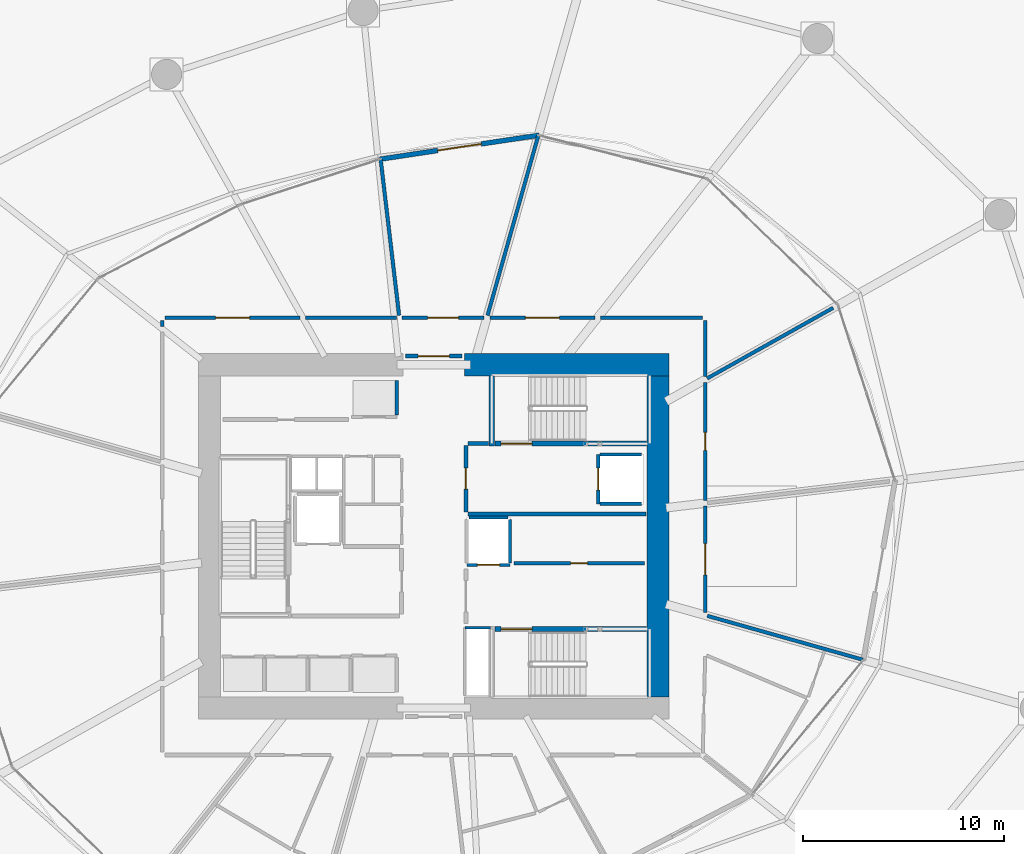
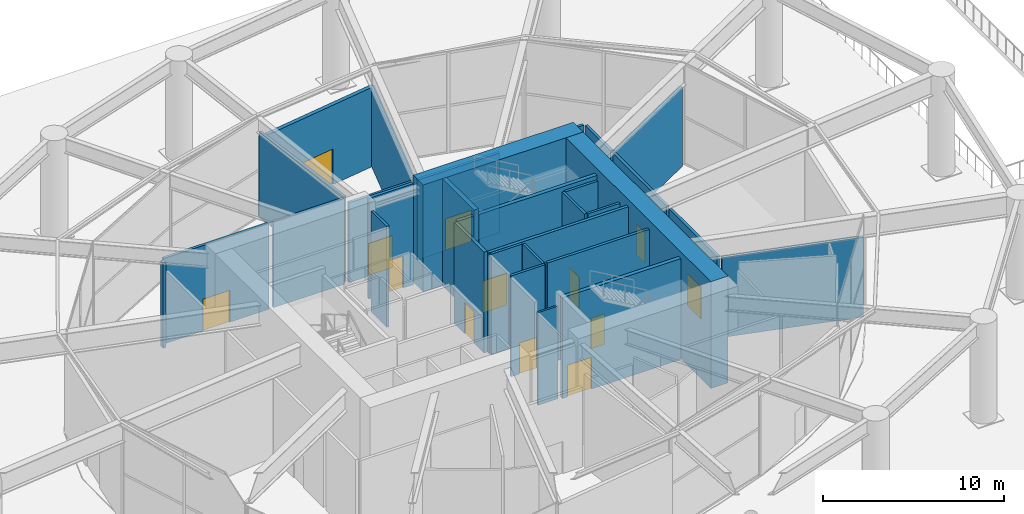
# One storey, part 23 of 28: 32 walls, 13 doors, 13 openings.
"""IFC4 building model written with IfcOpenShell, lengths in metres."""

from ifc_helpers import new_model, si_unit, direction, frame, frame_2d, origin, place, context, subcontext, project, spatial, rectangle, extrude, material, layer, layer_set, type_object, element, fill, save


model = new_model("IFC4")

# Units and contexts
model_context = context("Model", 3, precision=1e-05, world=origin(), true_north=direction((0.0, 1.0)))
body_context = subcontext(model_context, "Body", "Model", "MODEL_VIEW")
ifc_project = project(units=[si_unit("LENGTHUNIT", "METRE"), si_unit("AREAUNIT", "SQUARE_METRE"), si_unit("VOLUMEUNIT", "CUBIC_METRE"), si_unit("PLANEANGLEUNIT", "RADIAN"), si_unit("MASSUNIT", "GRAM", prefix="KILO")], contexts=[model_context])

# Site, building, storey
site_placement = place(None, origin())
site = spatial("IfcSite", under=ifc_project, at=site_placement, CompositionType="ELEMENT")
building_placement = place(site_placement, origin())
building = spatial("IfcBuilding", under=site, at=building_placement, Name="Kazma Halo Residences", CompositionType="ELEMENT")
storey_placement = place(building_placement, origin())
storey = spatial("IfcBuildingStorey", under=building, at=storey_placement, Name="L00", CompositionType="ELEMENT", Elevation=0.0)

# Walls
ifc_material_1 = material(Name="Concrete C80/95", Category="concrete")
ifc_layer_1 = layer(ifc_material_1, 1.10009765625)
ifc_layer_set_1 = layer_set([ifc_layer_1], Name="Concrete C80/95")
wall_type_1 = type_object("IfcWallType", Name="WL-CORE-1100", PredefinedType="SHEAR", material=ifc_layer_set_1)
wall_1_placement = place(storey_placement, frame((49.949951171875, 50.550048828125, 0.0), z_axis=(0.0, 0.0, 1.0), x_axis=(1.0, 0.0, 0.0)))
element("IfcWall", 1, at=wall_1_placement, inside=storey, type_object=wall_type_1, Name="L00 central core shear wall NE", PredefinedType="SHEAR", context=body_context, shape_type="SweptSolid", body=[
    extrude(rectangle(XDim=10.199951171875, YDim=1.10009765625, at=frame_2d((5.10009765625, 0.0))), origin(), (0.0, 0.0, 1.0), 7.199951171875),
])
wall_2_placement = place(storey_placement, frame((59.60009765625, 34.0, 0.0), z_axis=(0.0, 0.0, 1.0), x_axis=(0.0, 1.0, 0.0)))
element("IfcWall", 2, at=wall_2_placement, inside=storey, type_object=wall_type_1, Name="L00 central core shear wall E", PredefinedType="SHEAR", context=body_context, shape_type="SweptSolid", body=[
    extrude(rectangle(XDim=16.0, YDim=1.10009765625, at=frame_2d((8.0, 0.0))), origin(), (0.0, 0.0, 1.0), 7.199951171875),
])
ifc_material_2 = material(Name="Concrete C60/75", Category="concrete")
ifc_layer_2 = layer(ifc_material_2, 0.280029296875)
ifc_layer_set_2 = layer_set([ifc_layer_2], Name="Concrete C60/75")
wall_type_2 = type_object("IfcWallType", Name="WL-CORE-ST-280", PredefinedType="SHEAR", material=ifc_layer_set_2)
wall_3_placement = place(storey_placement, frame((51.31005859375, 46.5, 0.0), z_axis=(0.0, 0.0, 1.0), x_axis=(0.0, 1.0, 0.0)))
element("IfcWall", 3, at=wall_3_placement, inside=storey, type_object=wall_type_2, Name="L00 stairwell bearing wall ST02-W", PredefinedType="SHEAR", context=body_context, shape_type="SweptSolid", body=[
    extrude(rectangle(XDim=3.5, YDim=0.280029296875, at=frame_2d((1.75, 0.0))), origin(), (0.0, 0.0, 1.0), 7.199951171875),
])
ifc_material_3 = material(Name="Acoustic Twin-Stud Gypsum")
ifc_layer_3 = layer(ifc_material_3, 0.179931640625)
ifc_layer_set_3 = layer_set([ifc_layer_3], Name="Acoustic Twin-Stud Gypsum")
wall_type_3 = type_object("IfcWallType", Name="WL-DEM-180", PredefinedType="PARTITIONING", material=ifc_layer_set_3)
wall_4_placement = place(storey_placement, frame((61.949951171875, 49.952392578125, 0.0), z_axis=(0.0, 0.0, 1.0), x_axis=(0.0, 1.0, 0.0)))
element("IfcWall", 4, at=wall_4_placement, inside=storey, type_object=wall_type_3, Name="L00 Grand Arrival Lobby corridor wall", PredefinedType="PARTITIONING", context=body_context, shape_type="SweptSolid", body=[
    extrude(rectangle(XDim=2.8076171875, YDim=0.179931640625, at=frame_2d((1.40380859375, 0.0))), origin(), (0.0, 0.0, 1.0), 5.375),
])
wall_5_placement = place(storey_placement, frame((61.81005859375, 52.89990234375, 0.0), z_axis=(0.0, 0.0, 1.0), x_axis=(-1.0, 0.0, 0.0)))
element("IfcWall", 5, at=wall_5_placement, inside=storey, type_object=wall_type_3, Name="L00 Grand Arrival Lobby corridor wall", PredefinedType="PARTITIONING", context=body_context, shape_type="SweptSolid", body=[
    extrude(rectangle(XDim=5.0771484375, YDim=0.179931640625, at=frame_2d((2.53857421875, 0.0))), origin(), (0.0, 0.0, 1.0), 5.375),
])

# Wall, opening, door
wall_6_placement = place(storey_placement, frame((56.452880859375, 52.89990234375, 0.0), z_axis=(0.0, 0.0, 1.0), x_axis=(-1.0, 0.0, 0.0)))
wall_6 = element("IfcWall", 6, at=wall_6_placement, inside=storey, type_object=wall_type_3, Name="L00 Grand Arrival Lobby corridor wall", PredefinedType="PARTITIONING", context=body_context, shape_type="SweptSolid", body=[
    extrude(rectangle(XDim=5.23876953125, YDim=0.179931640625, at=frame_2d((2.619384765625, 0.0))), origin(), (0.0, 0.0, 1.0), 5.375),
])
opening_1_placement = place(wall_6_placement, frame((1.769287109375, 0.0, 0.0)))
opening_1 = element("IfcOpeningElement", 7, at=opening_1_placement, cuts=wall_6, Name="Opening DL-1800", PredefinedType="OPENING", context=body_context, shape_type="SweptSolid", body=[
    extrude(rectangle(XDim=1.699951171875, YDim=2.14990234375, at=frame_2d((0.85009765625, 1.074951171875))), frame((0.0, 0.099853515625, 0.0), z_axis=(0.0, -1.0, 0.0), x_axis=(1.0, 0.0, 0.0)), (0.0, 0.0, 1.0), 0.199951171875),
])
ifc_material_4 = material(Name="Glazed Aluminium Double Leaf", Category="aluminium")
door_type_1 = type_object("IfcDoorType", Name="DR-LGE-1800", OperationType="NOTDEFINED", PredefinedType="DOOR", material=ifc_material_4)
door_1_placement = place(opening_1_placement, origin())
door_1 = element("IfcDoor", 8, at=door_1_placement, inside=storey, type_object=door_type_1, Name="L00 Grand Arrival Lobby entrance door", OperationType="DOUBLE_DOOR_SINGLE_SWING", OverallHeight=2.14990234375, OverallWidth=1.699951171875, PredefinedType="DOOR", context=body_context, shape_type="SweptSolid", body=[
    extrude(rectangle(XDim=1.699951171875, YDim=2.14990234375, at=frame_2d((0.85009765625, 1.074951171875))), frame((0.0, 0.02490234375, 0.0), z_axis=(0.0, -1.0, 0.0), x_axis=(1.0, 0.0, 0.0)), (0.0, 0.0, 1.0), 0.050048828125),
])
fill(opening_1, door_1)

# Walls
wall_7_placement = place(storey_placement, frame((62.0458984375, 49.8662109375, 0.0), z_axis=(0.0, 0.0, 1.0), x_axis=(0.872497345561, 0.488618851447, 0.0)))
element("IfcWall", 9, at=wall_7_placement, inside=storey, type_object=wall_type_3, Name="L00 radial partition wall 00", PredefinedType="PARTITIONING", context=body_context, shape_type="SweptSolid", body=[
    extrude(rectangle(XDim=7.20263671875, YDim=0.179931640625, at=frame_2d((3.601318359375, 0.0))), origin(), (0.0, 0.0, 1.0), 5.375),
])
wall_8_placement = place(storey_placement, frame((51.10400390625, 53.005859375, 0.0), z_axis=(0.0, 0.0, 1.0), x_axis=(0.271432731122, 0.962457413331, 0.0)))
element("IfcWall", 10, at=wall_8_placement, inside=storey, type_object=wall_type_3, Name="L00 radial partition wall 02", PredefinedType="PARTITIONING", context=body_context, shape_type="SweptSolid", body=[
    extrude(rectangle(XDim=9.30029296875, YDim=0.179931640625, at=frame_2d((4.650146484375, 0.0))), origin(), (0.0, 0.0, 1.0), 5.375),
])

# Wall, opening, door
wall_9_placement = place(storey_placement, frame((50.93408203125, 52.89990234375, 0.0), z_axis=(0.0, 0.0, 1.0), x_axis=(-1.0, 0.0, 0.0)))
wall_9 = element("IfcWall", 11, at=wall_9_placement, inside=storey, type_object=wall_type_3, Name="L00 North Protected Exit Passageway corridor wall", PredefinedType="PARTITIONING", context=body_context, shape_type="SweptSolid", body=[
    extrude(rectangle(XDim=4.084228515625, YDim=0.179931640625, at=frame_2d((2.0419921875, 0.0))), origin(), (0.0, 0.0, 1.0), 5.375),
])
opening_2_placement = place(wall_9_placement, frame((1.26708984375, 0.0, 0.0)))
opening_2 = element("IfcOpeningElement", 12, at=opening_2_placement, cuts=wall_9, Name="Opening DF-1550", PredefinedType="OPENING", context=body_context, shape_type="SweptSolid", body=[
    extrude(rectangle(XDim=1.550048828125, YDim=2.14990234375, at=frame_2d((0.77490234375, 1.074951171875))), frame((0.0, 0.099853515625, 0.0), z_axis=(0.0, -1.0, 0.0), x_axis=(1.0, 0.0, 0.0)), (0.0, 0.0, 1.0), 0.199951171875),
])
ifc_material_5 = material(Name="Fire-Rated Double Steel Leaf", Category="steel")
door_type_2 = type_object("IfcDoorType", Name="DR-FD90-1550", OperationType="NOTDEFINED", PredefinedType="DOOR", material=ifc_material_5)
door_2_placement = place(opening_2_placement, origin())
door_2 = element("IfcDoor", 13, at=door_2_placement, inside=storey, type_object=door_type_2, Name="L00 North Protected Exit Passageway entrance door", OperationType="DOUBLE_DOOR_SINGLE_SWING", OverallHeight=2.14990234375, OverallWidth=1.550048828125, PredefinedType="DOOR", context=body_context, shape_type="SweptSolid", body=[
    extrude(rectangle(XDim=1.550048828125, YDim=2.14990234375, at=frame_2d((0.77490234375, 1.074951171875))), frame((0.0, 0.02490234375, 0.0), z_axis=(0.0, -1.0, 0.0), x_axis=(1.0, 0.0, 0.0)), (0.0, 0.0, 1.0), 0.050048828125),
])
fill(opening_2, door_2)

# Walls
wall_10_placement = place(storey_placement, frame((46.697021484375, 53.00927734375, 0.0), z_axis=(0.0, 0.0, 1.0), x_axis=(-0.117524370387, 0.993069998724, 0.0)))
element("IfcWall", 14, at=wall_10_placement, inside=storey, type_object=wall_type_3, Name="L00 radial partition wall 03", PredefinedType="PARTITIONING", context=body_context, shape_type="SweptSolid", body=[
    extrude(rectangle(XDim=7.817138671875, YDim=0.179931640625, at=frame_2d((3.90869140625, 0.0))), origin(), (0.0, 0.0, 1.0), 5.757080078125),
])
wall_11_placement = place(storey_placement, frame((46.56982421875, 52.89990234375, 0.0), z_axis=(0.0, 0.0, 1.0), x_axis=(-1.0, 0.0, 0.0)))
element("IfcWall", 15, at=wall_11_placement, inside=storey, type_object=wall_type_3, Name="L00 Concierge Hall and Mail Foyer corridor wall", PredefinedType="PARTITIONING", context=body_context, shape_type="SweptSolid", body=[
    extrude(rectangle(XDim=4.5341796875, YDim=0.179931640625, at=frame_2d((2.26708984375, 0.0))), origin(), (0.0, 0.0, 1.0), 5.757080078125),
])

# Wall, opening, door
wall_12_placement = place(storey_placement, frame((41.755615234375, 52.89990234375, 0.0), z_axis=(0.0, 0.0, 1.0), x_axis=(-1.0, 0.0, 0.0)))
wall_12 = element("IfcWall", 16, at=wall_12_placement, inside=storey, type_object=wall_type_3, Name="L00 Concierge Hall and Mail Foyer corridor wall", PredefinedType="PARTITIONING", context=body_context, shape_type="SweptSolid", body=[
    extrude(rectangle(XDim=6.715576171875, YDim=0.179931640625, at=frame_2d((3.35791015625, 0.0))), origin(), (0.0, 0.0, 1.0), 5.757080078125),
])
opening_3_placement = place(wall_12_placement, frame((2.5078125, 0.0, 0.0)))
opening_3 = element("IfcOpeningElement", 17, at=opening_3_placement, cuts=wall_12, Name="Opening DL-1800", PredefinedType="OPENING", context=body_context, shape_type="SweptSolid", body=[
    extrude(rectangle(XDim=1.699951171875, YDim=2.14990234375, at=frame_2d((0.85009765625, 1.074951171875))), frame((0.0, 0.099853515625, 0.0), z_axis=(0.0, -1.0, 0.0), x_axis=(1.0, 0.0, 0.0)), (0.0, 0.0, 1.0), 0.199951171875),
])
door_3_placement = place(opening_3_placement, origin())
door_3 = element("IfcDoor", 18, at=door_3_placement, inside=storey, type_object=door_type_1, Name="L00 Concierge Hall and Mail Foyer entrance door", OperationType="DOUBLE_DOOR_SINGLE_SWING", OverallHeight=2.14990234375, OverallWidth=1.699951171875, PredefinedType="DOOR", context=body_context, shape_type="SweptSolid", body=[
    extrude(rectangle(XDim=1.699951171875, YDim=2.14990234375, at=frame_2d((0.85009765625, 1.074951171875))), frame((0.0, 0.02490234375, 0.0), z_axis=(0.0, -1.0, 0.0), x_axis=(1.0, 0.0, 0.0)), (0.0, 0.0, 1.0), 0.050048828125),
])
fill(opening_3, door_3)

# Walls
wall_13_placement = place(storey_placement, frame((34.89990234375, 52.760009765625, 0.0), z_axis=(0.0, 0.0, 1.0), x_axis=(0.0, -1.0, 0.0)))
element("IfcWall", 19, at=wall_13_placement, inside=storey, type_object=wall_type_3, Name="L00 Concierge Hall and Mail Foyer corridor wall", PredefinedType="PARTITIONING", context=body_context, shape_type="SweptSolid", body=[
    extrude(rectangle(XDim=0.292724609375, YDim=0.179931640625, at=frame_2d((0.146484375, 0.0))), origin(), (0.0, 0.0, 1.0), 5.757080078125),
])
wall_14_placement = place(storey_placement, frame((62.055908203125, 38.035888671875, 0.0), z_axis=(0.0, 0.0, 1.0), x_axis=(0.962455968479, -0.271437854284, 0.0)))
element("IfcWall", 20, at=wall_14_placement, inside=storey, type_object=wall_type_3, Name="L00 radial partition wall 14", PredefinedType="PARTITIONING", context=body_context, shape_type="SweptSolid", body=[
    extrude(rectangle(XDim=8.05712890625, YDim=0.179931640625, at=frame_2d((4.028564453125, 0.0))), origin(), (0.0, 0.0, 1.0), 5.375),
])

# Wall, opening, door
wall_15_placement = place(storey_placement, frame((61.949951171875, 38.205810546875, 0.0), z_axis=(0.0, 0.0, 1.0), x_axis=(0.0, 1.0, 0.0)))
wall_15 = element("IfcWall", 21, at=wall_15_placement, inside=storey, type_object=wall_type_3, Name="L00 East Exit Arrival Foyer corridor wall", PredefinedType="PARTITIONING", context=body_context, shape_type="SweptSolid", body=[
    extrude(rectangle(XDim=5.30517578125, YDim=0.179931640625, at=frame_2d((2.652587890625, 0.0))), origin(), (0.0, 0.0, 1.0), 5.375),
])
opening_4_placement = place(wall_15_placement, frame((1.877685546875, 0.0, 0.0)))
opening_4 = element("IfcOpeningElement", 22, at=opening_4_placement, cuts=wall_15, Name="Opening DF-1550", PredefinedType="OPENING", context=body_context, shape_type="SweptSolid", body=[
    extrude(rectangle(XDim=1.550048828125, YDim=2.14990234375, at=frame_2d((0.77490234375, 1.074951171875))), frame((0.0, 0.099853515625, 0.0), z_axis=(0.0, -1.0, 0.0), x_axis=(1.0, 0.0, 0.0)), (0.0, 0.0, 1.0), 0.199951171875),
])
door_4_placement = place(opening_4_placement, origin())
door_4 = element("IfcDoor", 23, at=door_4_placement, inside=storey, type_object=door_type_2, Name="L00 East Exit Arrival Foyer entrance door", OperationType="DOUBLE_DOOR_SINGLE_SWING", OverallHeight=2.14990234375, OverallWidth=1.550048828125, PredefinedType="DOOR", context=body_context, shape_type="SweptSolid", body=[
    extrude(rectangle(XDim=1.550048828125, YDim=2.14990234375, at=frame_2d((0.77490234375, 1.074951171875))), frame((0.0, 0.02490234375, 0.0), z_axis=(0.0, -1.0, 0.0), x_axis=(1.0, 0.0, 0.0)), (0.0, 0.0, 1.0), 0.050048828125),
])
fill(opening_4, door_4)

wall_16_placement = place(storey_placement, frame((61.949951171875, 43.791015625, 0.0), z_axis=(0.0, 0.0, 1.0), x_axis=(0.0, 1.0, 0.0)))
wall_16 = element("IfcWall", 24, at=wall_16_placement, inside=storey, type_object=wall_type_3, Name="L00 Security and Management Office corridor wall", PredefinedType="PARTITIONING", context=body_context, shape_type="SweptSolid", body=[
    extrude(rectangle(XDim=5.88134765625, YDim=0.179931640625, at=frame_2d((2.940673828125, 0.0))), origin(), (0.0, 0.0, 1.0), 5.375),
])
opening_5_placement = place(wall_16_placement, frame((2.49072265625, 0.0, 0.0)))
opening_5 = element("IfcOpeningElement", 25, at=opening_5_placement, cuts=wall_16, Name="Opening DI-950", PredefinedType="OPENING", context=body_context, shape_type="SweptSolid", body=[
    extrude(rectangle(XDim=0.89990234375, YDim=2.080078125, at=frame_2d((0.449951171875, 1.0400390625))), frame((0.0, 0.099853515625, 0.0), z_axis=(0.0, -1.0, 0.0), x_axis=(1.0, 0.0, 0.0)), (0.0, 0.0, 1.0), 0.199951171875),
])
ifc_material_6 = material(Name="Timber Veneer Flush Leaf", Category="wood")
door_type_3 = type_object("IfcDoorType", Name="DR-INT-950", OperationType="NOTDEFINED", PredefinedType="DOOR", material=ifc_material_6)
door_5_placement = place(opening_5_placement, origin())
door_5 = element("IfcDoor", 26, at=door_5_placement, inside=storey, type_object=door_type_3, Name="L00 Security and Management Office entrance door", OperationType="SINGLE_SWING_LEFT", OverallHeight=2.080078125, OverallWidth=0.89990234375, PredefinedType="DOOR", context=body_context, shape_type="SweptSolid", body=[
    extrude(rectangle(XDim=0.89990234375, YDim=2.080078125, at=frame_2d((0.449951171875, 1.0400390625))), frame((0.0, 0.02490234375, 0.0), z_axis=(0.0, -1.0, 0.0), x_axis=(1.0, 0.0, 0.0)), (0.0, 0.0, 1.0), 0.050048828125),
])
fill(opening_5, door_5)

ifc_material_7 = material(Name="Insulated Pale-Metal Composite Wall")
ifc_layer_4 = layer(ifc_material_7, 0.239990234375)
ifc_layer_set_4 = layer_set([ifc_layer_4], Name="Insulated Pale-Metal Composite Wall")
wall_type_4 = type_object("IfcWallType", Name="WL-EXT-HOST-240", PredefinedType="SOLIDWALL", material=ifc_layer_set_4)
wall_17_placement = place(storey_placement, frame((45.725830078125, 60.78955078125, 0.0), z_axis=(0.0, 0.0, 1.0), x_axis=(0.988842711484, 0.148963391291, 0.0)))
wall_17 = element("IfcWall", 27, at=wall_17_placement, inside=storey, type_object=wall_type_4, Name="L00 ground entrance enclosure wall 03", PredefinedType="SOLIDWALL", context=body_context, shape_type="SweptSolid", body=[
    extrude(rectangle(XDim=8.048828125, YDim=0.239990234375, at=frame_2d((4.0244140625, 0.0))), origin(), (0.0, 0.0, 1.0), 5.35009765625),
])
opening_6_placement = place(wall_17_placement, frame((2.92431640625, 0.0, 0.0)))
opening_6 = element("IfcOpeningElement", 28, at=opening_6_placement, cuts=wall_17, Name="Opening D-EX-01", PredefinedType="OPENING", context=body_context, shape_type="SweptSolid", body=[
    extrude(rectangle(XDim=2.199951171875, YDim=2.39990234375, at=frame_2d((1.10009765625, 1.199951171875))), frame((0.0, 0.1298828125, 0.0), z_axis=(0.0, -1.0, 0.0), x_axis=(1.0, 0.0, 0.0)), (0.0, 0.0, 1.0), 0.260009765625),
])
ifc_material_8 = material(Name="Aluminium AW-6063 T6 Thermally Broken Glazed Door", Category="aluminium")
door_type_4 = type_object("IfcDoorType", Name="DR-EXT-EXIT-2200", OperationType="NOTDEFINED", PredefinedType="DOOR", material=ifc_material_8)
door_6_placement = place(opening_6_placement, origin())
door_6 = element("IfcDoor", 29, at=door_6_placement, inside=storey, type_object=door_type_4, Name="L00 pedestrian final exit door D-EX-01", OperationType="DOUBLE_DOOR_SINGLE_SWING", OverallHeight=2.39990234375, OverallWidth=2.199951171875, PredefinedType="DOOR", context=body_context, shape_type="SweptSolid", body=[
    extrude(rectangle(XDim=2.199951171875, YDim=2.39990234375, at=frame_2d((1.10009765625, 1.199951171875))), frame((0.0, 0.02490234375, 0.0), z_axis=(0.0, -1.0, 0.0), x_axis=(1.0, 0.0, 0.0)), (0.0, 0.0, 1.0), 0.050048828125),
])
fill(opening_6, door_6)

# Wall
ifc_material_9 = material(Name="Fire-Rated Blockwork Masonry", Category="masonry")
ifc_layer_5 = layer(ifc_material_9, 0.199951171875)
ifc_layer_set_5 = layer_set([ifc_layer_5], Name="Fire-Rated Blockwork Masonry")
wall_type_5 = type_object("IfcWallType", Name="WL-FLB-200", PredefinedType="PARTITIONING", material=ifc_layer_set_5)
wall_18_placement = place(storey_placement, frame((46.580078125, 48.044921875, 0.0), z_axis=(0.0, 0.0, 1.0), x_axis=(0.0, 1.0, 0.0)))
element("IfcWall", 30, at=wall_18_placement, inside=storey, type_object=wall_type_5, Name="L00 lift shaft PX-01 side wall E", PredefinedType="PARTITIONING", context=body_context, shape_type="SweptSolid", body=[
    extrude(rectangle(XDim=1.7099609375, YDim=0.159912109375, at=frame_2d((0.85498046875, 0.0))), origin(), (0.0, 0.0, 1.0), 6.800048828125),
])

# Wall, opening, door
wall_19_placement = place(storey_placement, frame((56.6201171875, 46.080078125, 0.0), z_axis=(0.0, 0.0, 1.0), x_axis=(0.0, -1.0, 0.0)))
wall_19 = element("IfcWall", 31, at=wall_19_placement, inside=storey, type_object=wall_type_5, Name="L00 lift shaft FL-02 front wall", PredefinedType="PARTITIONING", context=body_context, shape_type="SweptSolid", body=[
    extrude(rectangle(XDim=2.4599609375, YDim=0.159912109375, at=frame_2d((1.22998046875, 0.0))), origin(), (0.0, 0.0, 1.0), 6.800048828125),
])
opening_7_placement = place(wall_19_placement, frame((0.679931640625, 0.0, 0.0)))
opening_7 = element("IfcOpeningElement", 32, at=opening_7_placement, cuts=wall_19, Name="Opening LD-FL-02", PredefinedType="OPENING", context=body_context, shape_type="SweptSolid", body=[
    extrude(rectangle(XDim=1.10009765625, YDim=2.10009765625, at=frame_2d((0.550048828125, 1.050048828125))), frame((0.0, 0.08984375, 0.0), z_axis=(0.0, -1.0, 0.0), x_axis=(1.0, 0.0, 0.0)), (0.0, 0.0, 1.0), 0.179931640625),
])
ifc_material_10 = material(Name="Stainless Steel Fire-Rated", Category="steel")
door_type_5 = type_object("IfcDoorType", Name="DR-LIFT-SLD-1100", OperationType="DOUBLE_DOOR_SLIDING", PredefinedType="DOOR", material=ifc_material_10)
door_7_placement = place(opening_7_placement, origin())
door_7 = element("IfcDoor", 33, at=door_7_placement, inside=storey, type_object=door_type_5, Name="L00 lift FL-02 sliding landing door", OperationType="DOUBLE_DOOR_SLIDING", OverallHeight=2.10009765625, OverallWidth=1.10009765625, PredefinedType="DOOR", context=body_context, shape_type="SweptSolid", body=[
    extrude(rectangle(XDim=1.10009765625, YDim=2.10009765625, at=frame_2d((0.550048828125, 1.050048828125))), frame((0.0, 0.02490234375, 0.0), z_axis=(0.0, -1.0, 0.0), x_axis=(1.0, 0.0, 0.0)), (0.0, 0.0, 1.0), 0.050048828125),
])
fill(opening_7, door_7)

# Walls
for number, where, z_axis, x_axis, name in (
    (34, (56.719970703125, 46.080078125, 0.0), (0.0, 0.0, 1.0), (1.0, 0.0, 0.0), "L00 lift shaft FL-02 side wall N"),
    (35, (56.719970703125, 43.6201171875, 0.0), (0.0, 0.0, 1.0), (1.0, 0.0, 0.0), "L00 lift shaft FL-02 side wall S"),
):
    element("IfcWall", number, at=place(storey_placement, frame(where, z_axis=z_axis, x_axis=x_axis)), inside=storey, type_object=wall_type_5, Name=name, PredefinedType="PARTITIONING", context=body_context, shape_type="SweptSolid", body=[
        extrude(rectangle(XDim=2.06005859375, YDim=0.159912109375, at=frame_2d((1.030029296875, 0.0))), origin(), (0.0, 0.0, 1.0), 6.800048828125),
    ])

# Wall, opening, door
wall_20_placement = place(storey_placement, frame((52.22998046875, 40.570068359375, 0.0), z_axis=(0.0, 0.0, 1.0), x_axis=(-1.0, 0.0, 0.0)))
wall_20 = element("IfcWall", 36, at=wall_20_placement, inside=storey, type_object=wall_type_5, Name="L00 lift shaft SV-01 front wall", PredefinedType="PARTITIONING", context=body_context, shape_type="SweptSolid", body=[
    extrude(rectangle(XDim=2.159912109375, YDim=0.159912109375, at=frame_2d((1.080078125, 0.0))), origin(), (0.0, 0.0, 1.0), 6.800048828125),
])
opening_8_placement = place(wall_20_placement, frame((0.530029296875, 0.0, 0.0)))
opening_8 = element("IfcOpeningElement", 37, at=opening_8_placement, cuts=wall_20, Name="Opening LD-SV-01", PredefinedType="OPENING", context=body_context, shape_type="SweptSolid", body=[
    extrude(rectangle(XDim=1.10009765625, YDim=2.10009765625, at=frame_2d((0.550048828125, 1.050048828125))), frame((0.0, 0.08984375, 0.0), z_axis=(0.0, -1.0, 0.0), x_axis=(1.0, 0.0, 0.0)), (0.0, 0.0, 1.0), 0.179931640625),
])
door_8_placement = place(opening_8_placement, origin())
door_8 = element("IfcDoor", 38, at=door_8_placement, inside=storey, type_object=door_type_5, Name="L00 lift SV-01 sliding landing door", OperationType="DOUBLE_DOOR_SLIDING", OverallHeight=2.10009765625, OverallWidth=1.10009765625, PredefinedType="DOOR", context=body_context, shape_type="SweptSolid", body=[
    extrude(rectangle(XDim=1.10009765625, YDim=2.10009765625, at=frame_2d((0.550048828125, 1.050048828125))), frame((0.0, 0.02490234375, 0.0), z_axis=(0.0, -1.0, 0.0), x_axis=(1.0, 0.0, 0.0)), (0.0, 0.0, 1.0), 0.050048828125),
])
fill(opening_8, door_8)

# Walls
wall_21_placement = place(storey_placement, frame((52.22998046875, 40.669921875, 0.0), z_axis=(0.0, 0.0, 1.0), x_axis=(0.0, 1.0, 0.0)))
element("IfcWall", 39, at=wall_21_placement, inside=storey, type_object=wall_type_5, Name="L00 lift shaft SV-01 side wall E", PredefinedType="PARTITIONING", context=body_context, shape_type="SweptSolid", body=[
    extrude(rectangle(XDim=2.16015625, YDim=0.159912109375, at=frame_2d((1.080078125, 0.0))), origin(), (0.0, 0.0, 1.0), 6.800048828125),
])
wall_22_placement = place(storey_placement, frame((50.169921875, 42.929931640625, 0.0), z_axis=(0.0, 0.0, 1.0), x_axis=(1.0, 0.0, 0.0)))
element("IfcWall", 40, at=wall_22_placement, inside=storey, type_object=wall_type_5, Name="L00 lift shaft SV-01 side wall N", PredefinedType="PARTITIONING", context=body_context, shape_type="SweptSolid", body=[
    extrude(rectangle(XDim=1.9599609375, YDim=0.159912109375, at=frame_2d((0.97998046875, 0.0))), origin(), (0.0, 0.0, 1.0), 6.800048828125),
])

# Wall, opening, door
wall_23_placement = place(storey_placement, frame((52.419921875, 40.64990234375, 0.0), z_axis=(0.0, 0.0, 1.0), x_axis=(1.0, 0.0, 0.0)))
wall_23 = element("IfcWall", 41, at=wall_23_placement, inside=storey, type_object=wall_type_5, Name="L00 core east reserve wall", PredefinedType="PARTITIONING", context=body_context, shape_type="SweptSolid", body=[
    extrude(rectangle(XDim=6.5, YDim=0.179931640625, at=frame_2d((3.25, 0.0))), origin(), (0.0, 0.0, 1.0), 6.800048828125),
])
opening_9_placement = place(wall_23_placement, frame((2.824951171875, 0.0, 0.0)))
opening_9 = element("IfcOpeningElement", 42, at=opening_9_placement, cuts=wall_23, Name="Opening DS-850", PredefinedType="OPENING", context=body_context, shape_type="SweptSolid", body=[
    extrude(rectangle(XDim=0.85009765625, YDim=2.06005859375, at=frame_2d((0.425048828125, 1.030029296875))), frame((0.0, 0.099853515625, 0.0), z_axis=(0.0, -1.0, 0.0), x_axis=(1.0, 0.0, 0.0)), (0.0, 0.0, 1.0), 0.199951171875),
])
ifc_material_11 = material(Name="Painted Steel Access Leaf", Category="steel")
door_type_6 = type_object("IfcDoorType", Name="DR-SVC-850", OperationType="NOTDEFINED", PredefinedType="DOOR", material=ifc_material_11)
door_9_placement = place(opening_9_placement, origin())
door_9 = element("IfcDoor", 43, at=door_9_placement, inside=storey, type_object=door_type_6, Name="L00 core east reserve door", OperationType="SINGLE_SWING_LEFT", OverallHeight=2.06005859375, OverallWidth=0.85009765625, PredefinedType="DOOR", context=body_context, shape_type="SweptSolid", body=[
    extrude(rectangle(XDim=0.85009765625, YDim=2.06005859375, at=frame_2d((0.425048828125, 1.030029296875))), frame((0.0, 0.02490234375, 0.0), z_axis=(0.0, -1.0, 0.0), x_axis=(1.0, 0.0, 0.0)), (0.0, 0.0, 1.0), 0.050048828125),
])
fill(opening_9, door_9)

wall_24_placement = place(storey_placement, frame((47.02001953125, 50.97998046875, 0.0), z_axis=(0.0, 0.0, 1.0), x_axis=(1.0, 0.0, 0.0)))
wall_24 = element("IfcWall", 44, at=wall_24_placement, inside=storey, type_object=wall_type_5, Name="L00 north protected core exit portal smoke wall", PredefinedType="PARTITIONING", context=body_context, shape_type="SweptSolid", body=[
    extrude(rectangle(XDim=2.81005859375, YDim=0.199951171875, at=frame_2d((1.405029296875, 0.0))), origin(), (0.0, 0.0, 1.0), 6.800048828125),
])
opening_10_placement = place(wall_24_placement, frame((0.6298828125, 0.0, 0.0)))
opening_10 = element("IfcOpeningElement", 45, at=opening_10_placement, cuts=wall_24, Name="Opening DF-1550", PredefinedType="OPENING", context=body_context, shape_type="SweptSolid", body=[
    extrude(rectangle(XDim=1.550048828125, YDim=2.14990234375, at=frame_2d((0.77490234375, 1.074951171875))), frame((0.0, 0.10986328125, 0.0), z_axis=(0.0, -1.0, 0.0), x_axis=(1.0, 0.0, 0.0)), (0.0, 0.0, 1.0), 0.219970703125),
])
door_10_placement = place(opening_10_placement, origin())
door_10 = element("IfcDoor", 46, at=door_10_placement, inside=storey, type_object=door_type_2, Name="L00 north protected core exit smoke door", OperationType="DOUBLE_DOOR_SINGLE_SWING", OverallHeight=2.14990234375, OverallWidth=1.550048828125, PredefinedType="DOOR", context=body_context, shape_type="SweptSolid", body=[
    extrude(rectangle(XDim=1.550048828125, YDim=2.14990234375, at=frame_2d((0.77490234375, 1.074951171875))), frame((0.0, 0.02490234375, 0.0), z_axis=(0.0, -1.0, 0.0), x_axis=(1.0, 0.0, 0.0)), (0.0, 0.0, 1.0), 0.050048828125),
])
fill(opening_10, door_10)

# Walls
wall_25_placement = place(storey_placement, frame((50.1201171875, 43.1201171875, 0.0), z_axis=(0.0, 0.0, 1.0), x_axis=(1.0, 0.0, 0.0)))
element("IfcWall", 47, at=wall_25_placement, inside=storey, type_object=wall_type_5, Name="L00 east firefighting lobby south smoke wall", PredefinedType="PARTITIONING", context=body_context, shape_type="SweptSolid", body=[
    extrude(rectangle(XDim=8.8798828125, YDim=0.199951171875, at=frame_2d((4.43994140625, 0.0))), origin(), (0.0, 0.0, 1.0), 6.800048828125),
])
wall_26_placement = place(storey_placement, frame((50.139892578125, 46.6201171875, 0.0), z_axis=(0.0, 0.0, 1.0), x_axis=(1.0, 0.0, 0.0)))
element("IfcWall", 48, at=wall_26_placement, inside=storey, type_object=wall_type_5, Name="L00 east firefighting lobby north closure wall", PredefinedType="PARTITIONING", context=body_context, shape_type="SweptSolid", body=[
    extrude(rectangle(XDim=1.02001953125, YDim=0.199951171875, at=frame_2d((0.510009765625, 0.0))), origin(), (0.0, 0.0, 1.0), 6.800048828125),
])

# Wall, opening, door
wall_27_placement = place(storey_placement, frame((50.02001953125, 43.219970703125, 0.0), z_axis=(0.0, 0.0, 1.0), x_axis=(0.0, 1.0, 0.0)))
wall_27 = element("IfcWall", 49, at=wall_27_placement, inside=storey, type_object=wall_type_5, Name="L00 east firefighting lobby smoke wall", PredefinedType="PARTITIONING", context=body_context, shape_type="SweptSolid", body=[
    extrude(rectangle(XDim=3.300048828125, YDim=0.199951171875, at=frame_2d((1.64990234375, 0.0))), origin(), (0.0, 0.0, 1.0), 6.800048828125),
])
opening_11_placement = place(wall_27_placement, frame((1.125, 0.0, 0.0)))
opening_11 = element("IfcOpeningElement", 50, at=opening_11_placement, cuts=wall_27, Name="Opening D-FLE", PredefinedType="OPENING", context=body_context, shape_type="SweptSolid", body=[
    extrude(rectangle(XDim=1.050048828125, YDim=2.10009765625, at=frame_2d((0.52490234375, 1.050048828125))), frame((0.0, 0.10986328125, 0.0), z_axis=(0.0, -1.0, 0.0), x_axis=(1.0, 0.0, 0.0)), (0.0, 0.0, 1.0), 0.219970703125),
])
ifc_material_12 = material(Name="Fire-Rated Steel Leaf", Category="steel")
door_type_7 = type_object("IfcDoorType", Name="DR-FD90-1050", OperationType="NOTDEFINED", PredefinedType="DOOR", material=ifc_material_12)
door_11_placement = place(opening_11_placement, origin())
door_11 = element("IfcDoor", 51, at=door_11_placement, inside=storey, type_object=door_type_7, Name="L00 east firefighting lobby smoke door", OperationType="SINGLE_SWING_RIGHT", OverallHeight=2.10009765625, OverallWidth=1.050048828125, PredefinedType="DOOR", context=body_context, shape_type="SweptSolid", body=[
    extrude(rectangle(XDim=1.050048828125, YDim=2.10009765625, at=frame_2d((0.52490234375, 1.050048828125))), frame((0.0, 0.02490234375, 0.0), z_axis=(0.0, -1.0, 0.0), x_axis=(1.0, 0.0, 0.0)), (0.0, 0.0, 1.0), 0.050048828125),
])
fill(opening_11, door_11)

# Wall
ifc_material_13 = material(Name="Gypsum Plasterboard Partition")
ifc_layer_6 = layer(ifc_material_13, 0.125)
ifc_layer_set_6 = layer_set([ifc_layer_6], Name="Gypsum Plasterboard Partition")
wall_type_6 = type_object("IfcWallType", Name="WL-PART-125", PredefinedType="PARTITIONING", material=ifc_layer_set_6)
wall_28_placement = place(storey_placement, frame((49.97998046875, 37.43994140625, 0.0), z_axis=(0.0, 0.0, 1.0), x_axis=(1.0, 0.0, 0.0)))
element("IfcWall", 52, at=wall_28_placement, inside=storey, type_object=wall_type_6, Name="L00 standpipe riser north wall", PredefinedType="PARTITIONING", context=body_context, shape_type="SweptSolid", body=[
    extrude(rectangle(XDim=1.260009765625, YDim=0.125, at=frame_2d((0.6298828125, 0.0))), origin(), (0.0, 0.0, 1.0), 6.239990234375),
])

# Wall, opening, door
ifc_material_14 = material(Name="Concrete C50/60", Category="concrete")
ifc_layer_7 = layer(ifc_material_14, 0.25)
ifc_layer_set_7 = layer_set([ifc_layer_7], Name="Concrete C50/60")
wall_type_7 = type_object("IfcWallType", Name="WL-SHF-250", PredefinedType="SOLIDWALL", material=ifc_layer_set_7)
wall_29_placement = place(storey_placement, frame((51.47998046875, 46.6201171875, 0.0), z_axis=(0.0, 0.0, 1.0), x_axis=(1.0, 0.0, 0.0)))
wall_29 = element("IfcWall", 53, at=wall_29_placement, inside=storey, type_object=wall_type_7, Name="L00 exit stair ST-02 enclosure wall", PredefinedType="SOLIDWALL", context=body_context, shape_type="SweptSolid", body=[
    extrude(rectangle(XDim=7.5400390625, YDim=0.25, at=frame_2d((3.77001953125, 0.0))), origin(), (0.0, 0.0, 1.0), 6.800048828125),
])
opening_12_placement = place(wall_29_placement, frame((0.300048828125, 0.0, 0.0)))
opening_12 = element("IfcOpeningElement", 54, at=opening_12_placement, cuts=wall_29, Name="Opening D-ST2", PredefinedType="OPENING", context=body_context, shape_type="SweptSolid", body=[
    extrude(rectangle(XDim=1.550048828125, YDim=2.14990234375, at=frame_2d((0.77490234375, 1.074951171875))), frame((0.0, 0.135009765625, 0.0), z_axis=(0.0, -1.0, 0.0), x_axis=(1.0, 0.0, 0.0)), (0.0, 0.0, 1.0), 0.27001953125),
])
door_12_placement = place(opening_12_placement, origin())
door_12 = element("IfcDoor", 55, at=door_12_placement, inside=storey, type_object=door_type_2, Name="L00 exit stair ST-02 fire door", OperationType="DOUBLE_DOOR_SINGLE_SWING", OverallHeight=2.14990234375, OverallWidth=1.550048828125, PredefinedType="DOOR", context=body_context, shape_type="SweptSolid", body=[
    extrude(rectangle(XDim=1.550048828125, YDim=2.14990234375, at=frame_2d((0.77490234375, 1.074951171875))), frame((0.0, 0.02490234375, 0.0), z_axis=(0.0, -1.0, 0.0), x_axis=(1.0, 0.0, 0.0)), (0.0, 0.0, 1.0), 0.050048828125),
])
fill(opening_12, door_12)

wall_30_placement = place(storey_placement, frame((51.47998046875, 37.3798828125, 0.0), z_axis=(0.0, 0.0, 1.0), x_axis=(1.0, 0.0, 0.0)))
wall_30 = element("IfcWall", 56, at=wall_30_placement, inside=storey, type_object=wall_type_7, Name="L00 exit stair ST-03 enclosure wall", PredefinedType="SOLIDWALL", context=body_context, shape_type="SweptSolid", body=[
    extrude(rectangle(XDim=7.5400390625, YDim=0.25, at=frame_2d((3.77001953125, 0.0))), origin(), (0.0, 0.0, 1.0), 6.800048828125),
])
opening_13_placement = place(wall_30_placement, frame((0.300048828125, 0.0, 0.0)))
opening_13 = element("IfcOpeningElement", 57, at=opening_13_placement, cuts=wall_30, Name="Opening D-ST3", PredefinedType="OPENING", context=body_context, shape_type="SweptSolid", body=[
    extrude(rectangle(XDim=1.550048828125, YDim=2.14990234375, at=frame_2d((0.77490234375, 1.074951171875))), frame((0.0, 0.135009765625, 0.0), z_axis=(0.0, -1.0, 0.0), x_axis=(1.0, 0.0, 0.0)), (0.0, 0.0, 1.0), 0.27001953125),
])
door_13_placement = place(opening_13_placement, origin())
door_13 = element("IfcDoor", 58, at=door_13_placement, inside=storey, type_object=door_type_2, Name="L00 exit stair ST-03 fire door", OperationType="DOUBLE_DOOR_SINGLE_SWING", OverallHeight=2.14990234375, OverallWidth=1.550048828125, PredefinedType="DOOR", context=body_context, shape_type="SweptSolid", body=[
    extrude(rectangle(XDim=1.550048828125, YDim=2.14990234375, at=frame_2d((0.77490234375, 1.074951171875))), frame((0.0, 0.02490234375, 0.0), z_axis=(0.0, -1.0, 0.0), x_axis=(1.0, 0.0, 0.0)), (0.0, 0.0, 1.0), 0.050048828125),
])
fill(opening_13, door_13)

save(model, "model.ifc")
